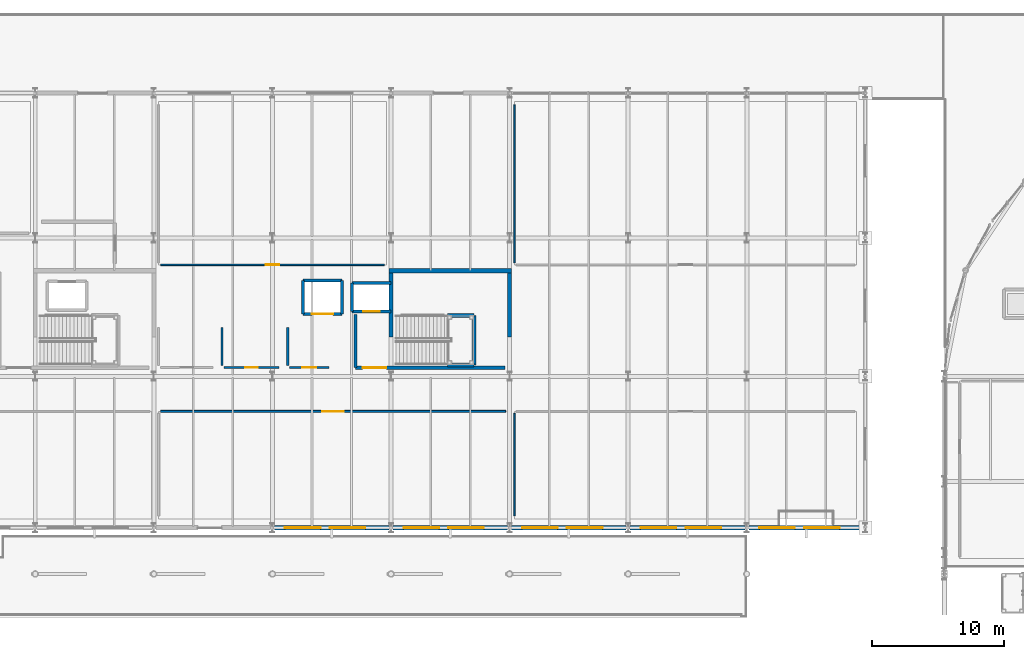
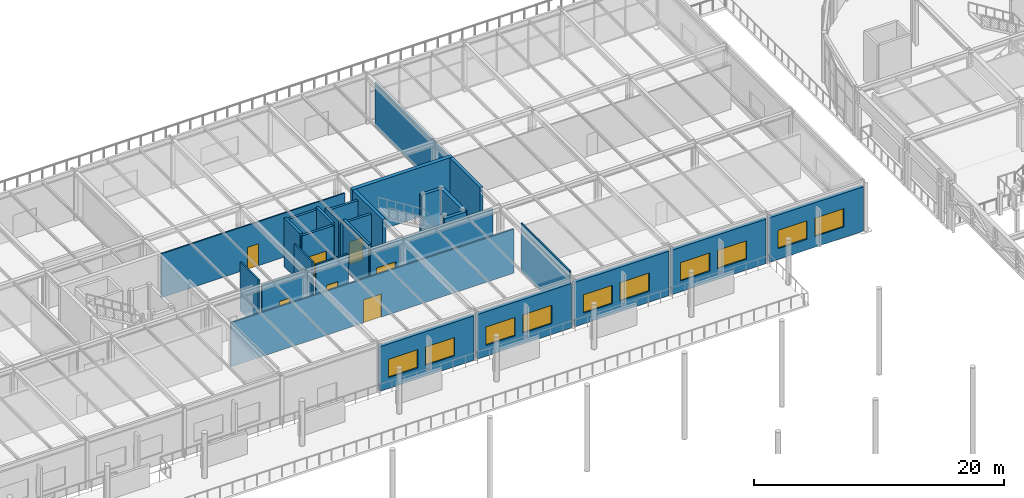
# One storey, part 85 of 143: 28 walls, 10 windows, 7 doors, 17 openings.
"""IFC4 building model written with IfcOpenShell, lengths in metres."""

from ifc_helpers import new_model, si_unit, direction, frame, frame_2d, origin, place, context, subcontext, project, spatial, rectangle, extrude, material, layer, layer_set, type_object, element, fill, save


model = new_model("IFC4")

# Units and contexts
model_context = context("Model", 3, precision=1e-05, world=origin(), true_north=direction((0.0, 1.0)))
body_context = subcontext(model_context, "Body", "Model", "MODEL_VIEW")
ifc_project = project(units=[si_unit("LENGTHUNIT", "METRE"), si_unit("AREAUNIT", "SQUARE_METRE"), si_unit("VOLUMEUNIT", "CUBIC_METRE"), si_unit("PLANEANGLEUNIT", "RADIAN"), si_unit("MASSUNIT", "GRAM", prefix="KILO")], contexts=[model_context])

# Site, building, storey
site_placement = place(None, origin())
site = spatial("IfcSite", under=ifc_project, at=site_placement, CompositionType="ELEMENT")
building_placement = place(site_placement, origin())
building = spatial("IfcBuilding", under=site, at=building_placement, Name="Marlcrest Central Station", CompositionType="ELEMENT")
storey_placement = place(building_placement, frame((0.0, 0.0, 4.800048828125)))
storey = spatial("IfcBuildingStorey", under=building, at=storey_placement, Name="L01", CompositionType="ELEMENT", Elevation=4.800048828125)

# Wall, openings, windows
ifc_material_1 = material(Name="Concrete C40/50", Category="concrete")
ifc_layer_1 = layer(ifc_material_1, 0.320068359375, Name="EW-01")
ifc_layer_set_1 = layer_set([ifc_layer_1], Name="Concrete C40/50")
wall_type_1 = type_object("IfcWallType", Name="EW-01", PredefinedType="SOLIDWALL", material=ifc_layer_set_1)
wall_1_placement = place(storey_placement, frame((44.85009765625, 99.0, 0.0), z_axis=(0.0, 0.0, 1.0), x_axis=(-1.0, 0.0, 0.0)))
wall_1 = element("IfcWall", 1, at=wall_1_placement, inside=storey, type_object=wall_type_1, Name="ewall-L01-0119", PredefinedType="SOLIDWALL", context=body_context, shape_type="SweptSolid", body=[
    extrude(rectangle(XDim=8.7001953125, YDim=0.320068359375, at=frame_2d((4.35009765625, 0.0))), origin(), (0.0, 0.0, 1.0), 4.349853515625),
])
opening_1_placement = place(wall_1_placement, frame((1.800048828125, 0.0, 1.050048828125)))
opening_1 = element("IfcOpeningElement", 2, at=opening_1_placement, cuts=wall_1, Name="Opening WN-06", PredefinedType="OPENING", context=body_context, shape_type="SweptSolid", body=[
    extrude(rectangle(XDim=2.699951171875, YDim=1.800048828125, at=frame_2d((1.35009765625, 0.89990234375))), frame((0.0, 0.169921875, 0.0), z_axis=(0.0, -1.0, 0.0), x_axis=(1.0, 0.0, 0.0)), (0.0, 0.0, 1.0), 0.340087890625),
])
opening_2_placement = place(wall_1_placement, frame((5.199951171875, 0.0, 1.050048828125)))
opening_2 = element("IfcOpeningElement", 3, at=opening_2_placement, cuts=wall_1, Name="Opening WN-06", PredefinedType="OPENING", context=body_context, shape_type="SweptSolid", body=[
    extrude(rectangle(XDim=2.699951171875, YDim=1.800048828125, at=frame_2d((1.35009765625, 0.89990234375))), frame((0.0, 0.169921875, 0.0), z_axis=(0.0, -1.0, 0.0), x_axis=(1.0, 0.0, 0.0)), (0.0, 0.0, 1.0), 0.340087890625),
])
ifc_material_2 = material(Name="Thermally broken bronze-anodised aluminium and laminated low-E glass", Category="aluminium")
window_type = type_object("IfcWindowType", Name="WN-06", PartitioningType="SINGLE_PANEL", PredefinedType="WINDOW", material=ifc_material_2)
window_1_placement = place(opening_1_placement, origin())
window_1 = element("IfcWindow", 4, at=window_1_placement, inside=storey, type_object=window_type, Name="ewin-L01-0069", OverallHeight=1.800048828125, OverallWidth=2.699951171875, PartitioningType="SINGLE_PANEL", PredefinedType="WINDOW", context=body_context, shape_type="SweptSolid", body=[
    extrude(rectangle(XDim=2.699951171875, YDim=1.800048828125, at=frame_2d((1.35009765625, 0.89990234375))), frame((0.0, 0.030029296875, 0.0), z_axis=(0.0, -1.0, 0.0), x_axis=(1.0, 0.0, 0.0)), (0.0, 0.0, 1.0), 0.06005859375),
])
fill(opening_1, window_1)
window_2_placement = place(opening_2_placement, origin())
window_2 = element("IfcWindow", 5, at=window_2_placement, inside=storey, type_object=window_type, Name="ewin-L01-0070", OverallHeight=1.800048828125, OverallWidth=2.699951171875, PartitioningType="SINGLE_PANEL", PredefinedType="WINDOW", context=body_context, shape_type="SweptSolid", body=[
    extrude(rectangle(XDim=2.699951171875, YDim=1.800048828125, at=frame_2d((1.35009765625, 0.89990234375))), frame((0.0, 0.030029296875, 0.0), z_axis=(0.0, -1.0, 0.0), x_axis=(1.0, 0.0, 0.0)), (0.0, 0.0, 1.0), 0.06005859375),
])
fill(opening_2, window_2)

wall_2_placement = place(storey_placement, frame((53.85009765625, 99.0, 0.0), z_axis=(0.0, 0.0, 1.0), x_axis=(-1.0, 0.0, 0.0)))
wall_2 = element("IfcWall", 6, at=wall_2_placement, inside=storey, type_object=wall_type_1, Name="ewall-L01-0121", PredefinedType="SOLIDWALL", context=body_context, shape_type="SweptSolid", body=[
    extrude(rectangle(XDim=8.7001953125, YDim=0.320068359375, at=frame_2d((4.35009765625, 0.0))), origin(), (0.0, 0.0, 1.0), 4.349853515625),
])
opening_3_placement = place(wall_2_placement, frame((1.800048828125, 0.0, 1.050048828125)))
opening_3 = element("IfcOpeningElement", 7, at=opening_3_placement, cuts=wall_2, Name="Opening WN-06", PredefinedType="OPENING", context=body_context, shape_type="SweptSolid", body=[
    extrude(rectangle(XDim=2.699951171875, YDim=1.800048828125, at=frame_2d((1.35009765625, 0.89990234375))), frame((0.0, 0.169921875, 0.0), z_axis=(0.0, -1.0, 0.0), x_axis=(1.0, 0.0, 0.0)), (0.0, 0.0, 1.0), 0.340087890625),
])
opening_4_placement = place(wall_2_placement, frame((5.199951171875, 0.0, 1.050048828125)))
opening_4 = element("IfcOpeningElement", 8, at=opening_4_placement, cuts=wall_2, Name="Opening WN-06", PredefinedType="OPENING", context=body_context, shape_type="SweptSolid", body=[
    extrude(rectangle(XDim=2.699951171875, YDim=1.800048828125, at=frame_2d((1.35009765625, 0.89990234375))), frame((0.0, 0.169921875, 0.0), z_axis=(0.0, -1.0, 0.0), x_axis=(1.0, 0.0, 0.0)), (0.0, 0.0, 1.0), 0.340087890625),
])
window_3_placement = place(opening_3_placement, origin())
window_3 = element("IfcWindow", 9, at=window_3_placement, inside=storey, type_object=window_type, Name="ewin-L01-0072", OverallHeight=1.800048828125, OverallWidth=2.699951171875, PartitioningType="SINGLE_PANEL", PredefinedType="WINDOW", context=body_context, shape_type="SweptSolid", body=[
    extrude(rectangle(XDim=2.699951171875, YDim=1.800048828125, at=frame_2d((1.35009765625, 0.89990234375))), frame((0.0, 0.030029296875, 0.0), z_axis=(0.0, -1.0, 0.0), x_axis=(1.0, 0.0, 0.0)), (0.0, 0.0, 1.0), 0.06005859375),
])
fill(opening_3, window_3)
window_4_placement = place(opening_4_placement, origin())
window_4 = element("IfcWindow", 10, at=window_4_placement, inside=storey, type_object=window_type, Name="ewin-L01-0073", OverallHeight=1.800048828125, OverallWidth=2.699951171875, PartitioningType="SINGLE_PANEL", PredefinedType="WINDOW", context=body_context, shape_type="SweptSolid", body=[
    extrude(rectangle(XDim=2.699951171875, YDim=1.800048828125, at=frame_2d((1.35009765625, 0.89990234375))), frame((0.0, 0.030029296875, 0.0), z_axis=(0.0, -1.0, 0.0), x_axis=(1.0, 0.0, 0.0)), (0.0, 0.0, 1.0), 0.06005859375),
])
fill(opening_4, window_4)

wall_3_placement = place(storey_placement, frame((62.85009765625, 99.0, 0.0), z_axis=(0.0, 0.0, 1.0), x_axis=(-1.0, 0.0, 0.0)))
wall_3 = element("IfcWall", 11, at=wall_3_placement, inside=storey, type_object=wall_type_1, Name="ewall-L01-0123", PredefinedType="SOLIDWALL", context=body_context, shape_type="SweptSolid", body=[
    extrude(rectangle(XDim=8.7001953125, YDim=0.320068359375, at=frame_2d((4.35009765625, 0.0))), origin(), (0.0, 0.0, 1.0), 4.349853515625),
])
opening_5_placement = place(wall_3_placement, frame((1.800048828125, 0.0, 1.050048828125)))
opening_5 = element("IfcOpeningElement", 12, at=opening_5_placement, cuts=wall_3, Name="Opening WN-06", PredefinedType="OPENING", context=body_context, shape_type="SweptSolid", body=[
    extrude(rectangle(XDim=2.699951171875, YDim=1.800048828125, at=frame_2d((1.35009765625, 0.89990234375))), frame((0.0, 0.169921875, 0.0), z_axis=(0.0, -1.0, 0.0), x_axis=(1.0, 0.0, 0.0)), (0.0, 0.0, 1.0), 0.340087890625),
])
opening_6_placement = place(wall_3_placement, frame((5.199951171875, 0.0, 1.050048828125)))
opening_6 = element("IfcOpeningElement", 13, at=opening_6_placement, cuts=wall_3, Name="Opening WN-06", PredefinedType="OPENING", context=body_context, shape_type="SweptSolid", body=[
    extrude(rectangle(XDim=2.699951171875, YDim=1.800048828125, at=frame_2d((1.35009765625, 0.89990234375))), frame((0.0, 0.169921875, 0.0), z_axis=(0.0, -1.0, 0.0), x_axis=(1.0, 0.0, 0.0)), (0.0, 0.0, 1.0), 0.340087890625),
])
window_5_placement = place(opening_5_placement, origin())
window_5 = element("IfcWindow", 14, at=window_5_placement, inside=storey, type_object=window_type, Name="ewin-L01-0074", OverallHeight=1.800048828125, OverallWidth=2.699951171875, PartitioningType="SINGLE_PANEL", PredefinedType="WINDOW", context=body_context, shape_type="SweptSolid", body=[
    extrude(rectangle(XDim=2.699951171875, YDim=1.800048828125, at=frame_2d((1.35009765625, 0.89990234375))), frame((0.0, 0.030029296875, 0.0), z_axis=(0.0, -1.0, 0.0), x_axis=(1.0, 0.0, 0.0)), (0.0, 0.0, 1.0), 0.06005859375),
])
fill(opening_5, window_5)
window_6_placement = place(opening_6_placement, origin())
window_6 = element("IfcWindow", 15, at=window_6_placement, inside=storey, type_object=window_type, Name="ewin-L01-0075", OverallHeight=1.800048828125, OverallWidth=2.699951171875, PartitioningType="SINGLE_PANEL", PredefinedType="WINDOW", context=body_context, shape_type="SweptSolid", body=[
    extrude(rectangle(XDim=2.699951171875, YDim=1.800048828125, at=frame_2d((1.35009765625, 0.89990234375))), frame((0.0, 0.030029296875, 0.0), z_axis=(0.0, -1.0, 0.0), x_axis=(1.0, 0.0, 0.0)), (0.0, 0.0, 1.0), 0.06005859375),
])
fill(opening_6, window_6)

wall_4_placement = place(storey_placement, frame((71.85009765625, 99.0, 0.0), z_axis=(0.0, 0.0, 1.0), x_axis=(-1.0, 0.0, 0.0)))
wall_4 = element("IfcWall", 16, at=wall_4_placement, inside=storey, type_object=wall_type_1, Name="ewall-L01-0124", PredefinedType="SOLIDWALL", context=body_context, shape_type="SweptSolid", body=[
    extrude(rectangle(XDim=8.7001953125, YDim=0.320068359375, at=frame_2d((4.35009765625, 0.0))), origin(), (0.0, 0.0, 1.0), 4.349853515625),
])
opening_7_placement = place(wall_4_placement, frame((1.800048828125, 0.0, 1.050048828125)))
opening_7 = element("IfcOpeningElement", 17, at=opening_7_placement, cuts=wall_4, Name="Opening WN-06", PredefinedType="OPENING", context=body_context, shape_type="SweptSolid", body=[
    extrude(rectangle(XDim=2.699951171875, YDim=1.800048828125, at=frame_2d((1.35009765625, 0.89990234375))), frame((0.0, 0.169921875, 0.0), z_axis=(0.0, -1.0, 0.0), x_axis=(1.0, 0.0, 0.0)), (0.0, 0.0, 1.0), 0.340087890625),
])
opening_8_placement = place(wall_4_placement, frame((5.199951171875, 0.0, 1.050048828125)))
opening_8 = element("IfcOpeningElement", 18, at=opening_8_placement, cuts=wall_4, Name="Opening WN-06", PredefinedType="OPENING", context=body_context, shape_type="SweptSolid", body=[
    extrude(rectangle(XDim=2.699951171875, YDim=1.800048828125, at=frame_2d((1.35009765625, 0.89990234375))), frame((0.0, 0.169921875, 0.0), z_axis=(0.0, -1.0, 0.0), x_axis=(1.0, 0.0, 0.0)), (0.0, 0.0, 1.0), 0.340087890625),
])
window_7_placement = place(opening_7_placement, origin())
window_7 = element("IfcWindow", 19, at=window_7_placement, inside=storey, type_object=window_type, Name="ewin-L01-0076", OverallHeight=1.800048828125, OverallWidth=2.699951171875, PartitioningType="SINGLE_PANEL", PredefinedType="WINDOW", context=body_context, shape_type="SweptSolid", body=[
    extrude(rectangle(XDim=2.699951171875, YDim=1.800048828125, at=frame_2d((1.35009765625, 0.89990234375))), frame((0.0, 0.030029296875, 0.0), z_axis=(0.0, -1.0, 0.0), x_axis=(1.0, 0.0, 0.0)), (0.0, 0.0, 1.0), 0.06005859375),
])
fill(opening_7, window_7)
window_8_placement = place(opening_8_placement, origin())
window_8 = element("IfcWindow", 20, at=window_8_placement, inside=storey, type_object=window_type, Name="ewin-L01-0077", OverallHeight=1.800048828125, OverallWidth=2.699951171875, PartitioningType="SINGLE_PANEL", PredefinedType="WINDOW", context=body_context, shape_type="SweptSolid", body=[
    extrude(rectangle(XDim=2.699951171875, YDim=1.800048828125, at=frame_2d((1.35009765625, 0.89990234375))), frame((0.0, 0.030029296875, 0.0), z_axis=(0.0, -1.0, 0.0), x_axis=(1.0, 0.0, 0.0)), (0.0, 0.0, 1.0), 0.06005859375),
])
fill(opening_8, window_8)

wall_5_placement = place(storey_placement, frame((80.85009765625, 99.0, 0.0), z_axis=(0.0, 0.0, 1.0), x_axis=(-1.0, 0.0, 0.0)))
wall_5 = element("IfcWall", 21, at=wall_5_placement, inside=storey, type_object=wall_type_1, Name="ewall-L01-0125", PredefinedType="SOLIDWALL", context=body_context, shape_type="SweptSolid", body=[
    extrude(rectangle(XDim=8.7001953125, YDim=0.320068359375, at=frame_2d((4.35009765625, 0.0))), origin(), (0.0, 0.0, 1.0), 4.349853515625),
])
opening_9_placement = place(wall_5_placement, frame((1.800048828125, 0.0, 1.050048828125)))
opening_9 = element("IfcOpeningElement", 22, at=opening_9_placement, cuts=wall_5, Name="Opening WN-06", PredefinedType="OPENING", context=body_context, shape_type="SweptSolid", body=[
    extrude(rectangle(XDim=2.699951171875, YDim=1.800048828125, at=frame_2d((1.35009765625, 0.89990234375))), frame((0.0, 0.169921875, 0.0), z_axis=(0.0, -1.0, 0.0), x_axis=(1.0, 0.0, 0.0)), (0.0, 0.0, 1.0), 0.340087890625),
])
opening_10_placement = place(wall_5_placement, frame((5.199951171875, 0.0, 1.050048828125)))
opening_10 = element("IfcOpeningElement", 23, at=opening_10_placement, cuts=wall_5, Name="Opening WN-06", PredefinedType="OPENING", context=body_context, shape_type="SweptSolid", body=[
    extrude(rectangle(XDim=2.699951171875, YDim=1.800048828125, at=frame_2d((1.35009765625, 0.89990234375))), frame((0.0, 0.169921875, 0.0), z_axis=(0.0, -1.0, 0.0), x_axis=(1.0, 0.0, 0.0)), (0.0, 0.0, 1.0), 0.340087890625),
])
window_9_placement = place(opening_9_placement, origin())
window_9 = element("IfcWindow", 24, at=window_9_placement, inside=storey, type_object=window_type, Name="ewin-L01-0078", OverallHeight=1.800048828125, OverallWidth=2.699951171875, PartitioningType="SINGLE_PANEL", PredefinedType="WINDOW", context=body_context, shape_type="SweptSolid", body=[
    extrude(rectangle(XDim=2.699951171875, YDim=1.800048828125, at=frame_2d((1.35009765625, 0.89990234375))), frame((0.0, 0.030029296875, 0.0), z_axis=(0.0, -1.0, 0.0), x_axis=(1.0, 0.0, 0.0)), (0.0, 0.0, 1.0), 0.06005859375),
])
fill(opening_9, window_9)
window_10_placement = place(opening_10_placement, origin())
window_10 = element("IfcWindow", 25, at=window_10_placement, inside=storey, type_object=window_type, Name="ewin-L01-0079", OverallHeight=1.800048828125, OverallWidth=2.699951171875, PartitioningType="SINGLE_PANEL", PredefinedType="WINDOW", context=body_context, shape_type="SweptSolid", body=[
    extrude(rectangle(XDim=2.699951171875, YDim=1.800048828125, at=frame_2d((1.35009765625, 0.89990234375))), frame((0.0, 0.030029296875, 0.0), z_axis=(0.0, -1.0, 0.0), x_axis=(1.0, 0.0, 0.0)), (0.0, 0.0, 1.0), 0.06005859375),
])
fill(opening_10, window_10)

# Walls
ifc_material_3 = material(Name="Acoustic steel-stud gypsum board partition", Category="steel")
ifc_layer_2 = layer(ifc_material_3, 0.1201171875, Name="PT-01")
ifc_layer_set_2 = layer_set([ifc_layer_2], Name="Acoustic steel-stud gypsum board partition")
wall_type_2 = type_object("IfcWallType", Name="PT-01", PredefinedType="PARTITIONING", material=ifc_layer_set_2)
wall_6_placement = place(storey_placement, frame((54.360107421875, 119.110107421875, 0.0), z_axis=(0.0, 0.0, 1.0), x_axis=(0.0, 1.0, 0.0)))
element("IfcWall", 26, at=wall_6_placement, inside=storey, type_object=wall_type_2, Name="iwall-L01-00093", PredefinedType="PARTITIONING", context=body_context, shape_type="SweptSolid", body=[
    extrude(rectangle(XDim=11.97998046875, YDim=0.1201171875, at=frame_2d((5.989990234375, 0.0))), origin(), (0.0, 0.0, 1.0), 4.300048828125),
])
wall_7_placement = place(storey_placement, frame((54.360107421875, 99.909912109375, 0.0), z_axis=(0.0, 0.0, 1.0), x_axis=(0.0, 1.0, 0.0)))
element("IfcWall", 27, at=wall_7_placement, inside=storey, type_object=wall_type_2, Name="iwall-L01-00098", PredefinedType="PARTITIONING", context=body_context, shape_type="SweptSolid", body=[
    extrude(rectangle(XDim=7.780029296875, YDim=0.1201171875, at=frame_2d((3.89013671875, 0.0))), origin(), (0.0, 0.0, 1.0), 4.75),
])

# Wall, opening, door
wall_8_placement = place(storey_placement, frame((44.489990234375, 118.9599609375, 0.0), z_axis=(0.0, 0.0, 1.0), x_axis=(-1.0, 0.0, 0.0)))
wall_8 = element("IfcWall", 28, at=wall_8_placement, inside=storey, type_object=wall_type_2, Name="iwall-L01-00101", PredefinedType="PARTITIONING", context=body_context, shape_type="SweptSolid", body=[
    extrude(rectangle(XDim=16.97998046875, YDim=0.1201171875, at=frame_2d((8.489990234375, 0.0))), origin(), (0.0, 0.0, 1.0), 4.300048828125),
])
opening_11_placement = place(wall_8_placement, frame((7.989990234375, 0.0, 0.0)))
opening_11 = element("IfcOpeningElement", 29, at=opening_11_placement, cuts=wall_8, Name="Opening ID-02", PredefinedType="OPENING", context=body_context, shape_type="SweptSolid", body=[
    extrude(rectangle(XDim=1.0, YDim=2.14990234375, at=frame_2d((0.5, 1.074951171875))), frame((0.0, 0.070068359375, 0.0), z_axis=(0.0, -1.0, 0.0), x_axis=(1.0, 0.0, 0.0)), (0.0, 0.0, 1.0), 0.14013671875),
])
ifc_material_4 = material(Name="Solid-core hardwood office door", Category="wood")
door_type_1 = type_object("IfcDoorType", Name="ID-02", OperationType="NOTDEFINED", PredefinedType="DOOR", material=ifc_material_4)
door_1_placement = place(opening_11_placement, origin())
door_1 = element("IfcDoor", 30, at=door_1_placement, inside=storey, type_object=door_type_1, Name="L01-V5H 0061", OperationType="SINGLE_SWING_RIGHT", OverallHeight=2.14990234375, OverallWidth=1.0, PredefinedType="DOOR", context=body_context, shape_type="SweptSolid", body=[
    extrude(rectangle(XDim=1.0, YDim=2.14990234375, at=frame_2d((0.5, 1.074951171875))), frame((0.0, 0.02490234375, 0.0), z_axis=(0.0, -1.0, 0.0), x_axis=(1.0, 0.0, 0.0)), (0.0, 0.0, 1.0), 0.050048828125),
])
fill(opening_11, door_1)

ifc_material_5 = material(Name="Acoustic double-stud partition")
ifc_layer_3 = layer(ifc_material_5, 0.139892578125, Name="PT-02")
ifc_layer_set_3 = layer_set([ifc_layer_3], Name="Acoustic double-stud partition")
wall_type_3 = type_object("IfcWallType", Name="PT-02", PredefinedType="PARTITIONING", material=ifc_layer_set_3)
wall_9_placement = place(storey_placement, frame((27.510009765625, 107.840087890625, 0.0), z_axis=(0.0, 0.0, 1.0), x_axis=(1.0, 0.0, 0.0)))
wall_9 = element("IfcWall", 31, at=wall_9_placement, inside=storey, type_object=wall_type_3, Name="iwall-L01-00095", PredefinedType="PARTITIONING", context=body_context, shape_type="SweptSolid", body=[
    extrude(rectangle(XDim=26.179931640625, YDim=0.139892578125, at=frame_2d((13.08984375, 0.0))), origin(), (0.0, 0.0, 1.0), 4.300048828125),
])
opening_12_placement = place(wall_9_placement, frame((12.264892578125, 0.0, 0.0)))
opening_12 = element("IfcOpeningElement", 32, at=opening_12_placement, cuts=wall_9, Name="Opening ID-10", PredefinedType="OPENING", context=body_context, shape_type="SweptSolid", body=[
    extrude(rectangle(XDim=1.64990234375, YDim=2.25, at=frame_2d((0.824951171875, 1.125))), frame((0.0, 0.079833984375, 0.0), z_axis=(0.0, -1.0, 0.0), x_axis=(1.0, 0.0, 0.0)), (0.0, 0.0, 1.0), 0.159912109375),
])
ifc_material_6 = material(Name="Double canteen and mess door")
door_type_2 = type_object("IfcDoorType", Name="ID-10", OperationType="DOUBLE_DOOR_SINGLE_SWING", PredefinedType="DOOR", material=ifc_material_6)
door_2_placement = place(opening_12_placement, origin())
door_2 = element("IfcDoor", 33, at=door_2_placement, inside=storey, type_object=door_type_2, Name="L01-V5C 0057", OperationType="DOUBLE_DOOR_SINGLE_SWING", OverallHeight=2.25, OverallWidth=1.64990234375, PredefinedType="DOOR", context=body_context, shape_type="SweptSolid", body=[
    extrude(rectangle(XDim=1.64990234375, YDim=2.25, at=frame_2d((0.824951171875, 1.125))), frame((0.0, 0.02490234375, 0.0), z_axis=(0.0, -1.0, 0.0), x_axis=(1.0, 0.0, 0.0)), (0.0, 0.0, 1.0), 0.050048828125),
])
fill(opening_12, door_2)

ifc_material_7 = material(Name="Moisture-resistant tiled sanitary partition")
ifc_layer_4 = layer(ifc_material_7, 0.159912109375, Name="PT-03")
ifc_layer_set_4 = layer_set([ifc_layer_4], Name="Moisture-resistant tiled sanitary partition")
wall_type_4 = type_object("IfcWallType", Name="PT-03", PredefinedType="PARTITIONING", material=ifc_layer_set_4)
wall_10_placement = place(storey_placement, frame((36.489990234375, 111.159912109375, 0.0), z_axis=(0.0, 0.0, 1.0), x_axis=(-1.0, 0.0, 0.0)))
wall_10 = element("IfcWall", 34, at=wall_10_placement, inside=storey, type_object=wall_type_4, Name="iwall-L01-00107", PredefinedType="PARTITIONING", context=body_context, shape_type="SweptSolid", body=[
    extrude(rectangle(XDim=4.179931640625, YDim=0.159912109375, at=frame_2d((2.08984375, 0.0))), origin(), (0.0, 0.0, 1.0), 4.300048828125),
])
opening_13_placement = place(wall_10_placement, frame((1.614990234375, 0.0, 0.0)))
opening_13 = element("IfcOpeningElement", 35, at=opening_13_placement, cuts=wall_10, Name="Opening ID-01", PredefinedType="OPENING", context=body_context, shape_type="SweptSolid", body=[
    extrude(rectangle(XDim=0.949951171875, YDim=2.14990234375, at=frame_2d((0.47509765625, 1.074951171875))), frame((0.0, 0.08984375, 0.0), z_axis=(0.0, -1.0, 0.0), x_axis=(1.0, 0.0, 0.0)), (0.0, 0.0, 1.0), 0.179931640625),
])
ifc_material_8 = material(Name="Solid-core hardwood acoustic door", Category="wood")
door_type_3 = type_object("IfcDoorType", Name="ID-01", OperationType="NOTDEFINED", PredefinedType="DOOR", material=ifc_material_8)
door_3_placement = place(opening_13_placement, origin())
door_3 = element("IfcDoor", 36, at=door_3_placement, inside=storey, type_object=door_type_3, Name="L01-WC-W2 0064", OperationType="SINGLE_SWING_LEFT", OverallHeight=2.14990234375, OverallWidth=0.949951171875, PredefinedType="DOOR", context=body_context, shape_type="SweptSolid", body=[
    extrude(rectangle(XDim=0.949951171875, YDim=2.14990234375, at=frame_2d((0.47509765625, 1.074951171875))), frame((0.0, 0.02490234375, 0.0), z_axis=(0.0, -1.0, 0.0), x_axis=(1.0, 0.0, 0.0)), (0.0, 0.0, 1.0), 0.050048828125),
])
fill(opening_13, door_3)

# Wall
wall_11_placement = place(storey_placement, frame((32.159912109375, 111.31005859375, 0.0), z_axis=(0.0, 0.0, 1.0), x_axis=(0.0, 1.0, 0.0)))
element("IfcWall", 37, at=wall_11_placement, inside=storey, type_object=wall_type_4, Name="iwall-L01-00108", PredefinedType="PARTITIONING", context=body_context, shape_type="SweptSolid", body=[
    extrude(rectangle(XDim=2.8798828125, YDim=0.159912109375, at=frame_2d((1.43994140625, 0.0))), origin(), (0.0, 0.0, 1.0), 4.75),
])

# Wall, opening, door
wall_12_placement = place(storey_placement, frame((40.2900390625, 111.159912109375, 0.0), z_axis=(0.0, 0.0, 1.0), x_axis=(-1.0, 0.0, 0.0)))
wall_12 = element("IfcWall", 38, at=wall_12_placement, inside=storey, type_object=wall_type_4, Name="iwall-L01-00109", PredefinedType="PARTITIONING", context=body_context, shape_type="SweptSolid", body=[
    extrude(rectangle(XDim=2.97998046875, YDim=0.159912109375, at=frame_2d((1.489990234375, 0.0))), origin(), (0.0, 0.0, 1.0), 4.550048828125),
])
opening_14_placement = place(wall_12_placement, frame((0.965087890625, 0.0, 0.0)))
opening_14 = element("IfcOpeningElement", 39, at=opening_14_placement, cuts=wall_12, Name="Opening ID-03", PredefinedType="OPENING", context=body_context, shape_type="SweptSolid", body=[
    extrude(rectangle(XDim=1.050048828125, YDim=2.199951171875, at=frame_2d((0.52490234375, 1.10009765625))), frame((0.0, 0.08984375, 0.0), z_axis=(0.0, -1.0, 0.0), x_axis=(1.0, 0.0, 0.0)), (0.0, 0.0, 1.0), 0.179931640625),
])
ifc_material_9 = material(Name="Accessible sanitary outward-opening door")
door_type_4 = type_object("IfcDoorType", Name="ID-03", OperationType="NOTDEFINED", PredefinedType="DOOR", material=ifc_material_9)
door_4_placement = place(opening_14_placement, origin())
door_4 = element("IfcDoor", 40, at=door_4_placement, inside=storey, type_object=door_type_4, Name="L01-WC-WA 0065", OperationType="SINGLE_SWING_RIGHT", OverallHeight=2.199951171875, OverallWidth=1.050048828125, PredefinedType="DOOR", context=body_context, shape_type="SweptSolid", body=[
    extrude(rectangle(XDim=1.050048828125, YDim=2.199951171875, at=frame_2d((0.52490234375, 1.10009765625))), frame((0.0, 0.02490234375, 0.0), z_axis=(0.0, -1.0, 0.0), x_axis=(1.0, 0.0, 0.0)), (0.0, 0.0, 1.0), 0.050048828125),
])
fill(opening_14, door_4)

# Walls
wall_13_placement = place(storey_placement, frame((37.159912109375, 111.31005859375, 0.0), z_axis=(0.0, 0.0, 1.0), x_axis=(0.0, 1.0, 0.0)))
element("IfcWall", 41, at=wall_13_placement, inside=storey, type_object=wall_type_4, Name="iwall-L01-00110", PredefinedType="PARTITIONING", context=body_context, shape_type="SweptSolid", body=[
    extrude(rectangle(XDim=2.8798828125, YDim=0.159912109375, at=frame_2d((1.43994140625, 0.0))), origin(), (0.0, 0.0, 1.0), 4.75),
])
ifc_layer_5 = layer(ifc_material_1, 0.22998046875, Name="SHW-01")
ifc_layer_set_5 = layer_set([ifc_layer_5], Name="Concrete C40/50")
wall_type_5 = type_object("IfcWallType", Name="SHW-01", PredefinedType="SOLIDWALL", material=ifc_layer_set_5)
wall_14_placement = place(storey_placement, frame((42.02001953125, 117.580078125, 0.0), z_axis=(0.0, 0.0, 1.0), x_axis=(1.0, 0.0, 0.0)))
element("IfcWall", 42, at=wall_14_placement, inside=storey, type_object=wall_type_5, Name="iwall-L01-00377", PredefinedType="SOLIDWALL", context=body_context, shape_type="SweptSolid", body=[
    extrude(rectangle(XDim=2.9599609375, YDim=0.22998046875, at=frame_2d((1.47998046875, 0.0))), origin(), (0.0, 0.0, 1.0), 4.300048828125),
])

# Wall, opening, door
wall_15_placement = place(storey_placement, frame((44.97998046875, 115.419921875, 0.0), z_axis=(0.0, 0.0, 1.0), x_axis=(-1.0, 0.0, 0.0)))
wall_15 = element("IfcWall", 43, at=wall_15_placement, inside=storey, type_object=wall_type_5, Name="iwall-L01-00378", PredefinedType="SOLIDWALL", context=body_context, shape_type="SweptSolid", body=[
    extrude(rectangle(XDim=2.9599609375, YDim=0.22998046875, at=frame_2d((1.47998046875, 0.0))), origin(), (0.0, 0.0, 1.0), 4.300048828125),
])
opening_15_placement = place(wall_15_placement, frame((0.85498046875, 0.0, 0.0)))
opening_15 = element("IfcOpeningElement", 44, at=opening_15_placement, cuts=wall_15, Name="Opening LD-02", PredefinedType="OPENING", context=body_context, shape_type="SweptSolid", body=[
    extrude(rectangle(XDim=1.25, YDim=2.199951171875, at=frame_2d((0.625, 1.10009765625))), frame((0.0, 0.125, 0.0), z_axis=(0.0, -1.0, 0.0), x_axis=(1.0, 0.0, 0.0)), (0.0, 0.0, 1.0), 0.25),
])
ifc_material_10 = material(Name="Stainless steel stretcher/firefighting lift landing door", Category="steel")
door_type_5 = type_object("IfcDoorType", Name="LD-02", OperationType="DOUBLE_DOOR_SLIDING", PredefinedType="DOOR", material=ifc_material_10)
door_5_placement = place(opening_15_placement, origin())
door_5 = element("IfcDoor", 45, at=door_5_placement, inside=storey, type_object=door_type_5, Name="LF-O1 Lift Landing Door 0165", OperationType="DOUBLE_DOOR_SLIDING", OverallHeight=2.199951171875, OverallWidth=1.25, PredefinedType="DOOR", context=body_context, shape_type="SweptSolid", body=[
    extrude(rectangle(XDim=1.25, YDim=2.199951171875, at=frame_2d((0.625, 1.10009765625))), frame((0.0, 0.02490234375, 0.0), z_axis=(0.0, -1.0, 0.0), x_axis=(1.0, 0.0, 0.0)), (0.0, 0.0, 1.0), 0.050048828125),
])
fill(opening_15, door_5)

# Walls
wall_16_placement = place(storey_placement, frame((42.02001953125, 115.419921875, 0.0), z_axis=(0.0, 0.0, 1.0), x_axis=(0.0, 1.0, 0.0)))
element("IfcWall", 46, at=wall_16_placement, inside=storey, type_object=wall_type_5, Name="iwall-L01-00379", PredefinedType="SOLIDWALL", context=body_context, shape_type="SweptSolid", body=[
    extrude(rectangle(XDim=2.16015625, YDim=0.22998046875, at=frame_2d((1.080078125, 0.0))), origin(), (0.0, 0.0, 1.0), 4.550048828125),
])
wall_17_placement = place(storey_placement, frame((38.320068359375, 117.780029296875, 0.0), z_axis=(0.0, 0.0, 1.0), x_axis=(1.0, 0.0, 0.0)))
element("IfcWall", 47, at=wall_17_placement, inside=storey, type_object=wall_type_5, Name="iwall-L01-00400", PredefinedType="SOLIDWALL", context=body_context, shape_type="SweptSolid", body=[
    extrude(rectangle(XDim=2.9599609375, YDim=0.22998046875, at=frame_2d((1.47998046875, 0.0))), origin(), (0.0, 0.0, 1.0), 4.550048828125),
])

# Wall, opening, door
wall_18_placement = place(storey_placement, frame((41.280029296875, 115.219970703125, 0.0), z_axis=(0.0, 0.0, 1.0), x_axis=(-1.0, 0.0, 0.0)))
wall_18 = element("IfcWall", 48, at=wall_18_placement, inside=storey, type_object=wall_type_5, Name="iwall-L01-00401", PredefinedType="SOLIDWALL", context=body_context, shape_type="SweptSolid", body=[
    extrude(rectangle(XDim=2.9599609375, YDim=0.22998046875, at=frame_2d((1.47998046875, 0.0))), origin(), (0.0, 0.0, 1.0), 4.550048828125),
])
opening_16_placement = place(wall_18_placement, frame((0.679931640625, 0.0, 0.0)))
opening_16 = element("IfcOpeningElement", 49, at=opening_16_placement, cuts=wall_18, Name="Opening LD-03", PredefinedType="OPENING", context=body_context, shape_type="SweptSolid", body=[
    extrude(rectangle(XDim=1.60009765625, YDim=2.300048828125, at=frame_2d((0.800048828125, 1.14990234375))), frame((0.0, 0.125, 0.0), z_axis=(0.0, -1.0, 0.0), x_axis=(1.0, 0.0, 0.0)), (0.0, 0.0, 1.0), 0.25),
])
ifc_material_11 = material(Name="Heavy-duty goods lift sliding landing door")
door_type_6 = type_object("IfcDoorType", Name="LD-03", OperationType="DOUBLE_DOOR_SLIDING", PredefinedType="DOOR", material=ifc_material_11)
door_6_placement = place(opening_16_placement, origin())
door_6 = element("IfcDoor", 50, at=door_6_placement, inside=storey, type_object=door_type_6, Name="LF-G1 Lift Landing Door 0172", OperationType="DOUBLE_DOOR_SLIDING", OverallHeight=2.300048828125, OverallWidth=1.60009765625, PredefinedType="DOOR", context=body_context, shape_type="SweptSolid", body=[
    extrude(rectangle(XDim=1.60009765625, YDim=2.300048828125, at=frame_2d((0.800048828125, 1.14990234375))), frame((0.0, 0.02490234375, 0.0), z_axis=(0.0, -1.0, 0.0), x_axis=(1.0, 0.0, 0.0)), (0.0, 0.0, 1.0), 0.050048828125),
])
fill(opening_16, door_6)

# Walls
for number, where, z_axis, x_axis, name in (
    (51, (38.320068359375, 115.219970703125, 0.0), (0.0, 0.0, 1.0), (0.0, 1.0, 0.0), "iwall-L01-00402"),
    (52, (41.280029296875, 117.780029296875, 0.0), (0.0, 0.0, 1.0), (0.0, -1.0, 0.0), "iwall-L01-00403"),
):
    element("IfcWall", number, at=place(storey_placement, frame(where, z_axis=z_axis, x_axis=x_axis)), inside=storey, type_object=wall_type_5, Name=name, PredefinedType="SOLIDWALL", context=body_context, shape_type="SweptSolid", body=[
        extrude(rectangle(XDim=2.56005859375, YDim=0.22998046875, at=frame_2d((1.280029296875, 0.0))), origin(), (0.0, 0.0, 1.0), 4.760009765625),
    ])

# Wall, opening, door
wall_19_placement = place(storey_placement, frame((42.300048828125, 111.14990234375, 0.0), z_axis=(0.0, 0.0, 1.0), x_axis=(1.0, 0.0, 0.0)))
wall_19 = element("IfcWall", 53, at=wall_19_placement, inside=storey, type_object=wall_type_5, Name="iwall-L01-00435", PredefinedType="SOLIDWALL", context=body_context, shape_type="SweptSolid", body=[
    extrude(rectangle(XDim=11.349853515625, YDim=0.22998046875, at=frame_2d((5.6748046875, 0.0))), origin(), (0.0, 0.0, 1.0), 4.300048828125),
])
opening_17_placement = place(wall_19_placement, frame((0.550048828125, 0.0, 0.0)))
opening_17 = element("IfcOpeningElement", 54, at=opening_17_placement, cuts=wall_19, Name="Opening FD-90D", PredefinedType="OPENING", context=body_context, shape_type="SweptSolid", body=[
    extrude(rectangle(XDim=1.800048828125, YDim=2.300048828125, at=frame_2d((0.89990234375, 1.14990234375))), frame((0.0, 0.125, 0.0), z_axis=(0.0, -1.0, 0.0), x_axis=(1.0, 0.0, 0.0)), (0.0, 0.0, 1.0), 0.25),
])
ifc_material_12 = material(Name="90-minute double exit-stair fire door")
door_type_7 = type_object("IfcDoorType", Name="FD-90D", OperationType="DOUBLE_DOOR_SINGLE_SWING", PredefinedType="DOOR", material=ifc_material_12)
door_7_placement = place(opening_17_placement, origin())
door_7 = element("IfcDoor", 55, at=door_7_placement, inside=storey, type_object=door_type_7, Name="ST-W21 Stair Door 0187", OperationType="DOUBLE_DOOR_SINGLE_SWING", OverallHeight=2.300048828125, OverallWidth=1.800048828125, PredefinedType="DOOR", context=body_context, shape_type="SweptSolid", body=[
    extrude(rectangle(XDim=1.800048828125, YDim=2.300048828125, at=frame_2d((0.89990234375, 1.14990234375))), frame((0.0, 0.02490234375, 0.0), z_axis=(0.0, -1.0, 0.0), x_axis=(1.0, 0.0, 0.0)), (0.0, 0.0, 1.0), 0.050048828125),
])
fill(opening_17, door_7)

# Walls
wall_20_placement = place(storey_placement, frame((42.300048828125, 111.14990234375, 0.0), z_axis=(0.0, 0.0, 1.0), x_axis=(0.0, 1.0, 0.0)))
element("IfcWall", 56, at=wall_20_placement, inside=storey, type_object=wall_type_5, Name="iwall-L01-00436", PredefinedType="SOLIDWALL", context=body_context, shape_type="SweptSolid", body=[
    extrude(rectangle(XDim=4.050048828125, YDim=0.22998046875, at=frame_2d((2.02490234375, 0.0))), origin(), (0.0, 0.0, 1.0), 4.75),
])
ifc_material_13 = material(Name="Concrete C50/60", Category="concrete")
ifc_layer_6 = layer(ifc_material_13, 0.35009765625, Name="SW-01")
ifc_layer_set_6 = layer_set([ifc_layer_6], Name="Concrete C50/60")
wall_type_6 = type_object("IfcWallType", Name="SW-01", PredefinedType="SHEAR", material=ifc_layer_set_6)
wall_21_placement = place(storey_placement, frame((44.85009765625, 118.5, 0.0), z_axis=(0.0, 0.0, 1.0), x_axis=(1.0, 0.0, 0.0)))
element("IfcWall", 57, at=wall_21_placement, inside=storey, type_object=wall_type_6, Name="swall-L01-0020", PredefinedType="SHEAR", context=body_context, shape_type="SweptSolid", body=[
    extrude(rectangle(XDim=9.2998046875, YDim=0.35009765625, at=frame_2d((4.64990234375, 0.0))), origin(), (0.0, 0.0, 1.0), 4.820068359375),
])
ifc_layer_7 = layer(ifc_material_13, 0.300048828125, Name="SW-02")
ifc_layer_set_7 = layer_set([ifc_layer_7], Name="Concrete C50/60")
wall_type_7 = type_object("IfcWallType", Name="SW-02", PredefinedType="SHEAR", material=ifc_layer_set_7)
for number, where, z_axis, x_axis, name in (
    (58, (45.0, 113.5, 0.0), (0.0, 0.0, 1.0), (0.0, 1.0, 0.0), "swall-L01-0021"),
    (59, (54.0, 113.5, 0.0), (0.0, 0.0, 1.0), (0.0, 1.0, 0.0), "swall-L01-0022"),
):
    element("IfcWall", number, at=place(storey_placement, frame(where, z_axis=z_axis, x_axis=x_axis)), inside=storey, type_object=wall_type_7, Name=name, PredefinedType="SHEAR", context=body_context, shape_type="SweptSolid", body=[
        extrude(rectangle(XDim=4.824951171875, YDim=0.300048828125, at=frame_2d((2.41259765625, 0.0))), origin(), (0.0, 0.0, 1.0), 4.820068359375),
    ])
wall_22_placement = place(storey_placement, frame((49.280029296875, 111.3701171875, 0.0), z_axis=(0.0, 0.0, 1.0), x_axis=(1.0, 0.0, 0.0)))
element("IfcWall", 60, at=wall_22_placement, inside=storey, type_object=wall_type_7, Name="htsw-0047-S", PredefinedType="SHEAR", context=body_context, shape_type="SweptSolid", body=[
    extrude(rectangle(XDim=2.0, YDim=0.300048828125, at=frame_2d((1.0, 0.0))), origin(), (0.0, 0.0, 1.0), 4.75),
])
wall_23_placement = place(storey_placement, frame((51.280029296875, 111.3701171875, 0.0), z_axis=(0.0, 0.0, 1.0), x_axis=(0.0, 1.0, 0.0)))
element("IfcWall", 61, at=wall_23_placement, inside=storey, type_object=wall_type_7, Name="htsw-0047-E", PredefinedType="SHEAR", context=body_context, shape_type="SweptSolid", body=[
    extrude(rectangle(XDim=3.759765625, YDim=0.300048828125, at=frame_2d((1.8798828125, 0.0))), origin(), (0.0, 0.0, 1.0), 4.75),
])
wall_24_placement = place(storey_placement, frame((51.280029296875, 115.1298828125, 0.0), z_axis=(0.0, 0.0, 1.0), x_axis=(-1.0, 0.0, 0.0)))
element("IfcWall", 62, at=wall_24_placement, inside=storey, type_object=wall_type_7, Name="htsw-0047-N", PredefinedType="SHEAR", context=body_context, shape_type="SweptSolid", body=[
    extrude(rectangle(XDim=2.0, YDim=0.300048828125, at=frame_2d((1.0, 0.0))), origin(), (0.0, 0.0, 1.0), 4.75),
])

save(model, "model.ifc")
